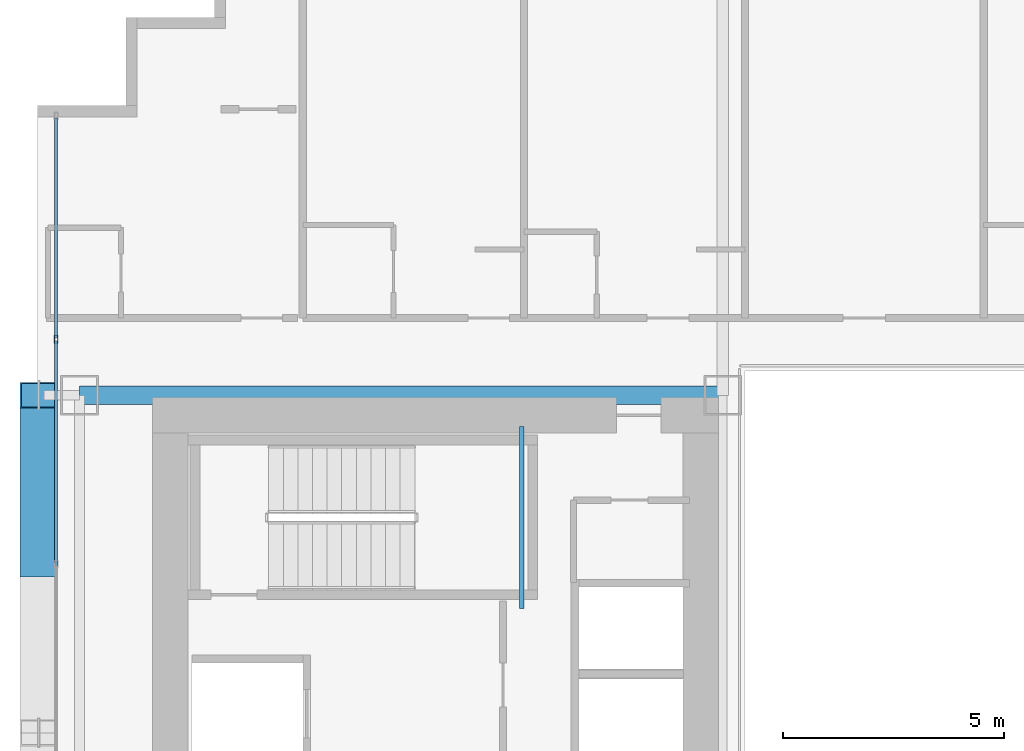
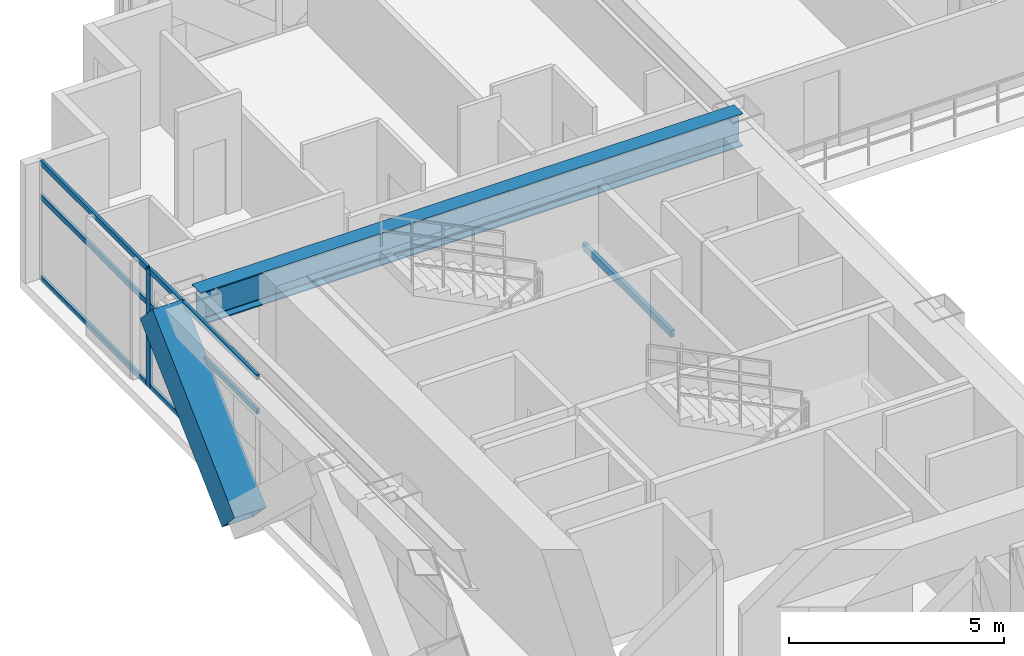
# One storey, part 16 of 38: 8 members, 2 beams, 1 element without a shape of its own.
"""IFC4 building model written with IfcOpenShell, lengths in metres."""

from ifc_helpers import new_model, si_unit, direction, frame, origin, origin_2d, place, context, subcontext, project, spatial, hollow_rectangle, i_section, extrude, source, transform, mapped, material, layer, layer_set, material_profile, profile_set, type_object, element, aggregate, save


model = new_model("IFC4")

# Units and contexts
model_context = context("Model", 3, precision=1e-05, world=origin(), true_north=direction((0.0, 1.0)))
body_context = subcontext(model_context, "Body", "Model", "MODEL_VIEW")
ifc_project = project(units=[si_unit("LENGTHUNIT", "METRE"), si_unit("AREAUNIT", "SQUARE_METRE"), si_unit("VOLUMEUNIT", "CUBIC_METRE"), si_unit("PLANEANGLEUNIT", "RADIAN"), si_unit("MASSUNIT", "GRAM", prefix="KILO")], contexts=[model_context])

# Site, building, storey
site_placement = place(None, origin())
site = spatial("IfcSite", under=ifc_project, at=site_placement, CompositionType="ELEMENT")
building_placement = place(site_placement, origin())
building = spatial("IfcBuilding", under=site, at=building_placement, Name="Ocotamira Hotel", CompositionType="ELEMENT")
storey_placement = place(building_placement, frame((0.0, 0.0, 74.39990234375)))
storey = spatial("IfcBuildingStorey", under=building, at=storey_placement, Name="L18", CompositionType="ELEMENT", Elevation=74.39990234375)

# Beams
ifc_material_1 = material(Name="Steel ASTM A500 Grade C", Category="steel")
ifc_material_profile_1 = material_profile(ifc_material_1, hollow_rectangle(XDim=0.10009765625, YDim=0.199951171875, WallThickness=0.008056640625, at=origin_2d()), Name="HSS200X100X8")
ifc_profile_set_1 = profile_set([ifc_material_profile_1], Name="Steel ASTM A500 Grade C")
beam_type_1 = type_object("IfcBeamType", Name="BM-STLDG-HSS200", PredefinedType="BEAM", material=ifc_profile_set_1)
shared_shape_1 = source(origin(), body_context, "Body", "SweptSolid", [
    extrude(hollow_rectangle(XDim=0.10009765625, YDim=0.199951171875, WallThickness=0.008056640625, at=origin_2d()), origin(), (0.0, 0.0, 1.0), 4.1201171875),
])
beam_1_placement = place(storey_placement, frame((18.949951171875, 32.6298828125, 1.5), z_axis=(0.0, 1.0, 0.0), x_axis=(-1.0, 0.0, 0.0)))
element("IfcBeam", 1, at=beam_1_placement, inside=storey, type_object=beam_type_1, Name="L18 Stair ST-2 Landing Bearer 1", PredefinedType="BEAM", context=body_context, shape_type="MappedRepresentation", body=[
    mapped(shared_shape_1, transform((0.0, 0.0, 0.0), scale=1.0)),
])
ifc_material_2 = material(Name="Steel ASTM A992 Grade 50", Category="steel")
ifc_material_profile_2 = material_profile(ifc_material_2, i_section(OverallWidth=0.41796875, OverallDepth=0.927001953125, WebThickness=0.019287109375, FlangeThickness=0.031982421875, FilletRadius=0.02392578125, at=origin_2d()), Name="W36X231")
ifc_profile_set_2 = profile_set([ifc_material_profile_2], Name="Steel ASTM A992 Grade 50")
beam_type_2 = type_object("IfcBeamType", Name="BM-GIRD-W36X231", PredefinedType="BEAM", material=ifc_profile_set_2)
shared_shape_2 = source(origin(), body_context, "Body", "SweptSolid", [
    extrude(i_section(OverallWidth=0.41796875, OverallDepth=0.927001953125, WebThickness=0.019287109375, FlangeThickness=0.031982421875, FilletRadius=0.02392578125, at=origin_2d()), origin(), (0.0, 0.0, 1.0), 14.550048828125),
])
beam_2_placement = place(storey_placement, frame((8.949951171875, 37.449951171875, 2.88671875), z_axis=(1.0, 0.0, 0.0), x_axis=(0.0, 1.0, 0.0)))
element("IfcBeam", 2, at=beam_2_placement, inside=storey, type_object=beam_type_2, Name="L18 Girder Y37.45 X8.95-23.5", PredefinedType="BEAM", context=body_context, shape_type="MappedRepresentation", body=[
    mapped(shared_shape_2, transform((0.0, 0.0, 0.0), scale=1.0)),
])

# Member
ifc_material_3 = material(Name="Pale-metal coated steel ASTM A913 Grade 65", Category="steel")
ifc_material_profile_3 = material_profile(ifc_material_3, hollow_rectangle(XDim=0.85009765625, YDim=0.85009765625, WallThickness=0.035888671875, at=origin_2d()), Name="BOX850X850X36")
ifc_profile_set_3 = profile_set([ifc_material_profile_3], Name="Pale-metal coated steel ASTM A913 Grade 65")
member_type_1 = type_object("IfcMemberType", Name="MEM-EXO-BOX850", PredefinedType="BRACE", material=ifc_profile_set_3)
shared_shape_3 = source(origin(), body_context, "Body", "SweptSolid", [
    extrude(hollow_rectangle(XDim=0.85009765625, YDim=0.85009765625, WallThickness=0.035888671875, at=origin_2d()), origin(), (0.0, 0.0, 1.0), 5.24658203125),
])
member_1_placement = place(storey_placement, frame((8.030029296875, 33.63330078125, -0.5), z_axis=(0.0, 0.727442733726, 0.686168397078), x_axis=(-1.0, 0.0, 0.0)))
element("IfcMember", 3, at=member_1_placement, inside=storey, type_object=member_type_1, Name="L18 Exoskeleton Diagrid W2.2", PredefinedType="BRACE", context=body_context, shape_type="MappedRepresentation", body=[
    mapped(shared_shape_3, transform((0.0, 0.0, 0.0), scale=1.0)),
])

# Curtain wall, members
ifc_material_4 = material(Name="Anodised pale-metal aluminium and solar glass", Category="aluminium")
ifc_layer = layer(ifc_material_4, 0.179931640625)
ifc_layer_set = layer_set([ifc_layer], Name="Anodised pale-metal aluminium and solar glass")
curtain_wall_type = type_object("IfcCurtainWallType", Name="CW-SYS2-Z1", PredefinedType="NOTDEFINED", material=ifc_layer_set)
curtain_wall_placement = place(storey_placement, origin())
curtain_wall = element("IfcCurtainWall", 4, at=curtain_wall_placement, inside=storey, type_object=curtain_wall_type, Name="L18 Curtain Wall CW-2 CW-L18-W", PredefinedType="NOTDEFINED")
ifc_material_5 = material(Name="Anodised pale-metal aluminium 6063-T6", Category="aluminium")
ifc_material_profile_4 = material_profile(ifc_material_5, hollow_rectangle(XDim=0.074951171875, YDim=0.14990234375, WallThickness=0.006103515625, at=origin_2d()), Name="HSS150X75X6")
ifc_profile_set_4 = profile_set([ifc_material_profile_4], Name="Anodised pale-metal aluminium 6063-T6")
member_type_2 = type_object("IfcMemberType", Name="CWT-150X75", PredefinedType="USERDEFINED", material=ifc_profile_set_4)
shared_shape_4 = source(origin(), body_context, "Body", "SweptSolid", [
    extrude(hollow_rectangle(XDim=0.074951171875, YDim=0.14990234375, WallThickness=0.006103515625, at=origin_2d()), origin(), (0.0, 0.0, 1.0), 4.965576171875),
])
member_2_placement = place(storey_placement, frame((8.419921875, 38.75439453125, 0.03759765625), z_axis=(0.0, 1.0, 0.0), x_axis=(-1.0, 0.0, 0.0)))
member_2 = element("IfcMember", 5, at=member_2_placement, type_object=member_type_2, Name="CW-2 transom 7.1", ObjectType="TRANSOM", PredefinedType="USERDEFINED", context=body_context, shape_type="MappedRepresentation", body=[
    mapped(shared_shape_4, transform((0.0, 0.0, 0.0), scale=1.0)),
])
member_3_placement = place(storey_placement, frame((8.419921875, 38.75439453125, 2.35009765625), z_axis=(0.0, 1.0, 0.0), x_axis=(-1.0, 0.0, 0.0)))
member_3 = element("IfcMember", 6, at=member_3_placement, type_object=member_type_2, Name="CW-2 transom 7.2", ObjectType="TRANSOM", PredefinedType="USERDEFINED", context=body_context, shape_type="MappedRepresentation", body=[
    mapped(shared_shape_4, transform((0.0, 0.0, 0.0), scale=1.0)),
])
member_4_placement = place(storey_placement, frame((8.419921875, 38.75439453125, 3.3125), z_axis=(0.0, 1.0, 0.0), x_axis=(-1.0, 0.0, 0.0)))
member_4 = element("IfcMember", 7, at=member_4_placement, type_object=member_type_2, Name="CW-2 transom 7.3", ObjectType="TRANSOM", PredefinedType="USERDEFINED", context=body_context, shape_type="MappedRepresentation", body=[
    mapped(shared_shape_4, transform((0.0, 0.0, 0.0), scale=1.0)),
])
shared_shape_5 = source(origin(), body_context, "Body", "SweptSolid", [
    extrude(hollow_rectangle(XDim=0.074951171875, YDim=0.14990234375, WallThickness=0.006103515625, at=origin_2d()), origin(), (0.0, 0.0, 1.0), 5.005859375),
])
member_5_placement = place(storey_placement, frame((8.419921875, 33.66845703125, 0.03759765625), z_axis=(0.0, 1.0, 0.0), x_axis=(-1.0, 0.0, 0.0)))
member_5 = element("IfcMember", 8, at=member_5_placement, type_object=member_type_2, Name="CW-2 transom 6.1", ObjectType="TRANSOM", PredefinedType="USERDEFINED", context=body_context, shape_type="MappedRepresentation", body=[
    mapped(shared_shape_5, transform((0.0, 0.0, 0.0), scale=1.0)),
])
member_6_placement = place(storey_placement, frame((8.419921875, 33.66845703125, 2.35009765625), z_axis=(0.0, 1.0, 0.0), x_axis=(-1.0, 0.0, 0.0)))
member_6 = element("IfcMember", 9, at=member_6_placement, type_object=member_type_2, Name="CW-2 transom 6.2", ObjectType="TRANSOM", PredefinedType="USERDEFINED", context=body_context, shape_type="MappedRepresentation", body=[
    mapped(shared_shape_5, transform((0.0, 0.0, 0.0), scale=1.0)),
])
member_7_placement = place(storey_placement, frame((8.419921875, 33.66845703125, 3.3125), z_axis=(0.0, 1.0, 0.0), x_axis=(-1.0, 0.0, 0.0)))
member_7 = element("IfcMember", 10, at=member_7_placement, type_object=member_type_2, Name="CW-2 transom 6.3", ObjectType="TRANSOM", PredefinedType="USERDEFINED", context=body_context, shape_type="MappedRepresentation", body=[
    mapped(shared_shape_5, transform((0.0, 0.0, 0.0), scale=1.0)),
])
ifc_material_profile_5 = material_profile(ifc_material_5, hollow_rectangle(XDim=0.080078125, YDim=0.179931640625, WallThickness=0.006103515625, at=origin_2d()), Name="HSS180X80X6")
ifc_profile_set_5 = profile_set([ifc_material_profile_5], Name="Anodised pale-metal aluminium 6063-T6")
member_type_3 = type_object("IfcMemberType", Name="CWM-180X75", PredefinedType="MULLION", material=ifc_profile_set_5)
shared_shape_6 = source(origin(), body_context, "Body", "SweptSolid", [
    extrude(hollow_rectangle(XDim=0.080078125, YDim=0.179931640625, WallThickness=0.006103515625, at=origin_2d()), origin(), (0.0, 0.0, 1.0), 3.35009765625),
])
member_8_placement = place(storey_placement, frame((8.419921875, 38.71435546875, 0.0), z_axis=(0.0, 0.0, 1.0), x_axis=(-1.0, 0.0, 0.0)))
member_8 = element("IfcMember", 11, at=member_8_placement, type_object=member_type_3, Name="CW-2 mullion 7", PredefinedType="MULLION", context=body_context, shape_type="MappedRepresentation", body=[
    mapped(shared_shape_6, transform((0.0, 0.0, 0.0), scale=1.0)),
])
aggregate(curtain_wall, [member_8, member_5, member_6, member_7, member_2, member_3, member_4])

save(model, "model.ifc")
